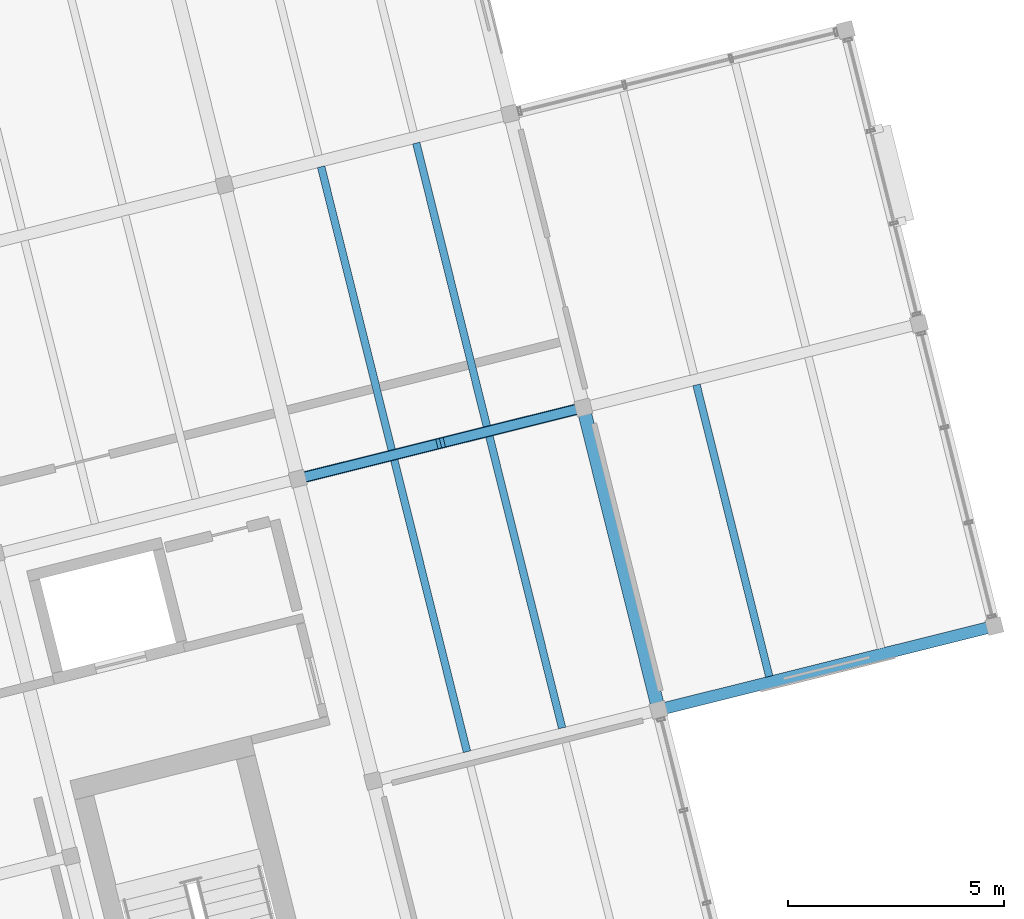
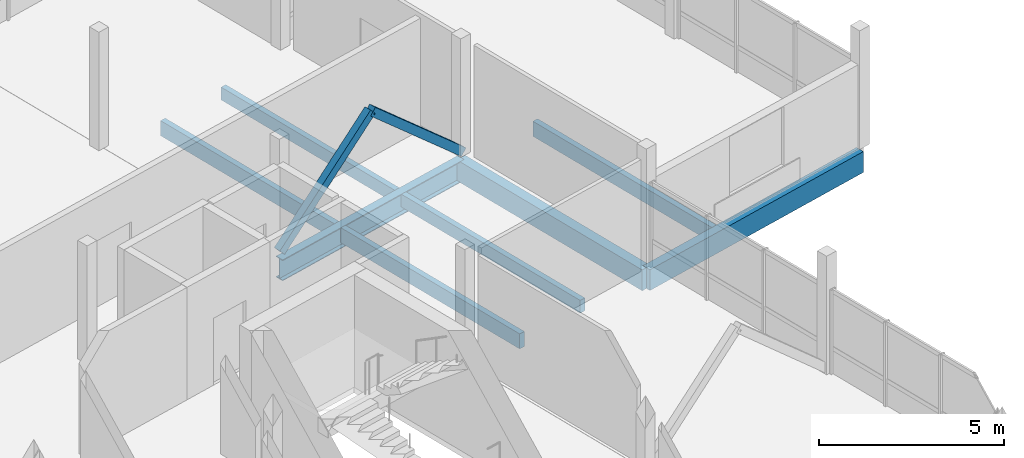
# One storey, part 13 of 26: 8 beams, 2 members.
"""IFC4 building model written with IfcOpenShell, lengths in metres."""

from ifc_helpers import new_model, si_unit, direction, frame, origin, origin_2d, place, context, subcontext, project, spatial, rectangle, i_section, extrude, material, material_profile, profile_set, type_object, element, save


model = new_model("IFC4")

# Units and contexts
model_context = context("Model", 3, precision=1e-05, world=origin(), true_north=direction((0.0, 1.0)))
body_context = subcontext(model_context, "Body", "Model", "MODEL_VIEW")
ifc_project = project(units=[si_unit("LENGTHUNIT", "METRE"), si_unit("AREAUNIT", "SQUARE_METRE"), si_unit("VOLUMEUNIT", "CUBIC_METRE"), si_unit("PLANEANGLEUNIT", "RADIAN"), si_unit("MASSUNIT", "GRAM", prefix="KILO")], contexts=[model_context])

# Site, building, storey
site_placement = place(None, origin())
site = spatial("IfcSite", under=ifc_project, at=site_placement, CompositionType="ELEMENT")
building_placement = place(site_placement, origin())
building = spatial("IfcBuilding", under=site, at=building_placement, Name="Meriwether Solvik Hall", CompositionType="ELEMENT")
storey_placement = place(building_placement, frame((0.0, 0.0, 41.699951171875)))
storey = spatial("IfcBuildingStorey", under=building, at=storey_placement, Name="L10", CompositionType="ELEMENT", Elevation=41.699951171875)

# Beams
ifc_material_1 = material(Name="Glulam Douglas-Fir 24F-V8 GL28h", Category="wood")
ifc_material_profile_1 = material_profile(ifc_material_1, rectangle(XDim=0.27294921875, YDim=0.68505859375, at=origin_2d()), Name="GLB-273X685")
ifc_profile_set_1 = profile_set([ifc_material_profile_1], Name="Glulam Douglas-Fir 24F-V8 GL28h")
beam_type_1 = type_object("IfcBeamType", Name="BM-GL-273X685", PredefinedType="BEAM", material=ifc_profile_set_1)
beam_1_placement = place(storey_placement, frame((100.192138671875, 63.29931640625, -0.5224609375), z_axis=(0.970298475929, 0.241910867076, 0.0), x_axis=(-0.241910867076, 0.970298475929, 0.0)))
element("IfcBeam", 1, at=beam_1_placement, inside=storey, type_object=beam_type_1, Name="Tower Girder TC:T6-T7 (L10)", PredefinedType="BEAM", context=body_context, shape_type="SweptSolid", body=[
    extrude(rectangle(XDim=0.27294921875, YDim=0.68505859375, at=origin_2d()), origin(), (0.0, 0.0, 1.0), 8.0),
])
ifc_material_2 = material(Name="Glulam Douglas-Fir 24F-V8 GL28h", Category="wood")
ifc_material_profile_2 = material_profile(ifc_material_2, rectangle(XDim=0.31494140625, YDim=0.68505859375, at=origin_2d()), Name="GLB-315X685")
ifc_profile_set_2 = profile_set([ifc_material_profile_2], Name="Glulam Douglas-Fir 24F-V8 GL28h")
beam_type_2 = type_object("IfcBeamType", Name="BM-GL-315X685", PredefinedType="BEAM", material=ifc_profile_set_2)
beam_2_placement = place(storey_placement, frame((100.192138671875, 63.29931640625, -0.5224609375), z_axis=(-0.241937193493, 0.970291911955, 0.0), x_axis=(-0.970291911955, -0.241937193493, 0.0)))
element("IfcBeam", 2, at=beam_2_placement, inside=storey, type_object=beam_type_2, Name="Tower Girder T6:TC-TD (L10)", PredefinedType="BEAM", context=body_context, shape_type="SweptSolid", body=[
    extrude(rectangle(XDim=0.31494140625, YDim=0.68505859375, at=origin_2d()), origin(), (0.0, 0.0, 1.0), 7.199951171875),
])
ifc_material_3 = material(Name="Steel A992 Grade 50", Category="steel")
ifc_material_profile_3 = material_profile(ifc_material_3, i_section(OverallWidth=0.256103515625, OverallDepth=0.693115234375, WebThickness=0.014404296875, FlangeThickness=0.023681640625, at=origin_2d()), Name="W27X114")
ifc_profile_set_3 = profile_set([ifc_material_profile_3], Name="Steel A992 Grade 50")
beam_type_3 = type_object("IfcBeamType", Name="BM-STL-W27X114", PredefinedType="BEAM", material=ifc_profile_set_3)
beam_3_placement = place(storey_placement, frame((91.852294921875, 68.640380859375, -0.5263671875), z_axis=(0.970296478685, 0.241918877831, 0.0), x_axis=(-0.241918877831, 0.970296478685, 0.0)))
element("IfcBeam", 3, at=beam_3_placement, inside=storey, type_object=beam_type_3, Name="Tower Girder TD:T5-T6 (L10)", PredefinedType="BEAM", context=body_context, shape_type="SweptSolid", body=[
    extrude(i_section(OverallWidth=0.256103515625, OverallDepth=0.693115234375, WebThickness=0.014404296875, FlangeThickness=0.023681640625, at=origin_2d()), origin(), (0.0, 0.0, 1.0), 6.7998046875),
])
ifc_material_4 = material(Name="Glulam Douglas-Fir 24F-V8 GL28h", Category="wood")
ifc_material_profile_4 = material_profile(ifc_material_4, rectangle(XDim=0.175048828125, YDim=0.419921875, at=origin_2d()), Name="GLJ-175X420")
ifc_profile_set_4 = profile_set([ifc_material_profile_4], Name="Glulam Douglas-Fir 24F-V8 GL28h")
beam_type_4 = type_object("IfcBeamType", Name="JST-GL-175X420", PredefinedType="JOIST", material=ifc_profile_set_4)
beam_4_placement = place(storey_placement, frame((97.9609375, 62.87841796875, -0.389892578125), z_axis=(-0.241906997216, 0.970299440739, 0.0), x_axis=(-0.970299440739, -0.241906997216, 0.0)))
element("IfcBeam", 4, at=beam_4_placement, inside=storey, type_object=beam_type_4, Name="Glulam Floor Joist T5/TC-J2 (L10)", PredefinedType="JOIST", context=body_context, shape_type="SweptSolid", body=[
    extrude(rectangle(XDim=0.175048828125, YDim=0.419921875, at=origin_2d()), origin(), (0.0, 0.0, 1.0), 6.945556640625),
])
beam_5_placement = place(storey_placement, frame((96.22119140625, 69.8564453125, -0.389892578125), z_axis=(-0.241913907509, 0.970297717896, 0.0), x_axis=(-0.970297717896, -0.241913907509, 0.0)))
element("IfcBeam", 5, at=beam_5_placement, inside=storey, type_object=beam_type_4, Name="Glulam Floor Joist T5/TD-J2 (L10)", PredefinedType="JOIST", context=body_context, shape_type="SweptSolid", body=[
    extrude(rectangle(XDim=0.175048828125, YDim=0.419921875, at=origin_2d()), origin(), (0.0, 0.0, 1.0), 6.74560546875),
])
ifc_material_5 = material(Name="Glulam Douglas-Fir 24F-V8 GL28h", Category="wood")
ifc_material_profile_5 = material_profile(ifc_material_5, rectangle(XDim=0.175048828125, YDim=0.4951171875, at=origin_2d()), Name="GLJ-175X495")
ifc_profile_set_5 = profile_set([ifc_material_profile_5], Name="Glulam Douglas-Fir 24F-V8 GL28h")
beam_type_5 = type_object("IfcBeamType", Name="JST-GL-175X495", PredefinedType="JOIST", material=ifc_profile_set_5)
beam_6_placement = place(storey_placement, frame((95.76171875, 62.330078125, -0.427490234375), z_axis=(-0.241940090494, 0.970291189598, 0.0), x_axis=(-0.970291189598, -0.241940090494, 0.0)))
element("IfcBeam", 6, at=beam_6_placement, inside=storey, type_object=beam_type_5, Name="Glulam Floor Joist T5/TC-J1 (L10)", PredefinedType="JOIST", context=body_context, shape_type="SweptSolid", body=[
    extrude(rectangle(XDim=0.175048828125, YDim=0.4951171875, at=origin_2d()), origin(), (0.0, 0.0, 1.0), 6.945556640625),
])
beam_7_placement = place(storey_placement, frame((94.02197265625, 69.30810546875, -0.427490234375), z_axis=(-0.241947981948, 0.970289221846, 0.0), x_axis=(-0.970289221846, -0.241947981948, 0.0)))
element("IfcBeam", 7, at=beam_7_placement, inside=storey, type_object=beam_type_5, Name="Glulam Floor Joist T5/TD-J1 (L10)", PredefinedType="JOIST", context=body_context, shape_type="SweptSolid", body=[
    extrude(rectangle(XDim=0.175048828125, YDim=0.4951171875, at=origin_2d()), origin(), (0.0, 0.0, 1.0), 6.74560546875),
])
beam_8_placement = place(storey_placement, frame((102.747802734375, 64.072021484375, -0.427490234375), z_axis=(-0.241906997216, 0.970299440739, 0.0), x_axis=(-0.970299440739, -0.241906997216, 0.0)))
element("IfcBeam", 8, at=beam_8_placement, inside=storey, type_object=beam_type_5, Name="Glulam Floor Joist T6/TC-J1 (L10)", PredefinedType="JOIST", context=body_context, shape_type="SweptSolid", body=[
    extrude(rectangle(XDim=0.175048828125, YDim=0.4951171875, at=origin_2d()), origin(), (0.0, 0.0, 1.0), 6.945556640625),
])

# Members
ifc_material_6 = material(Name="Glulam Douglas-Fir 24F-V8 GL28h", Category="wood")
ifc_material_profile_6 = material_profile(ifc_material_6, rectangle(XDim=0.221923828125, YDim=0.26708984375, at=origin_2d()), Name="GLM-222X267")
ifc_profile_set_6 = profile_set([ifc_material_profile_6], Name="Glulam Douglas-Fir 24F-V8 GL28h")
member_type = type_object("IfcMemberType", Name="MEM-BR-GL222", PredefinedType="BRACE", material=ifc_profile_set_6)
for number, where, z_axis, x_axis, name in (
    (9, (91.852294921875, 68.640380859375, 0.050048828125), (0.729154353771, 0.181789463321, 0.659762471957), (-0.24191045034, 0.970298579828, 0.0), "Tower Chevron Brace L10-B4A"),
    (10, (98.4501953125, 70.285400390625, 0.050048828125), (-0.729129081227, -0.181796615945, 0.659788430741), (0.241927305891, -0.970294377323, 0.0), "Tower Chevron Brace L10-B4B"),
):
    element("IfcMember", number, at=place(storey_placement, frame(where, z_axis=z_axis, x_axis=x_axis)), inside=storey, type_object=member_type, Name=name, PredefinedType="BRACE", context=body_context, shape_type="SweptSolid", body=[
        extrude(rectangle(XDim=0.221923828125, YDim=0.26708984375, at=origin_2d()), origin(), (0.0, 0.0, 1.0), 4.5244140625),
    ])

save(model, "model.ifc")
